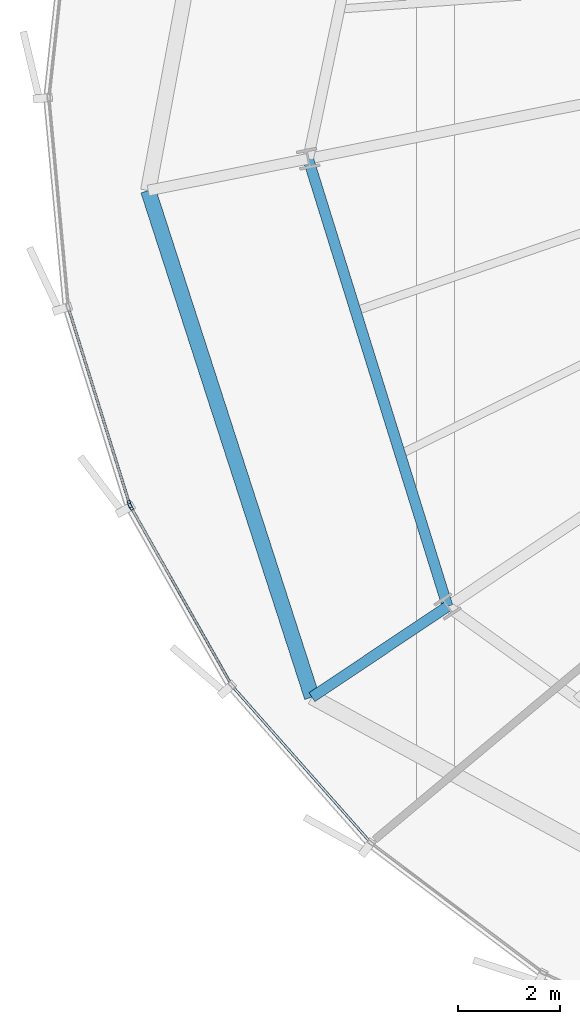
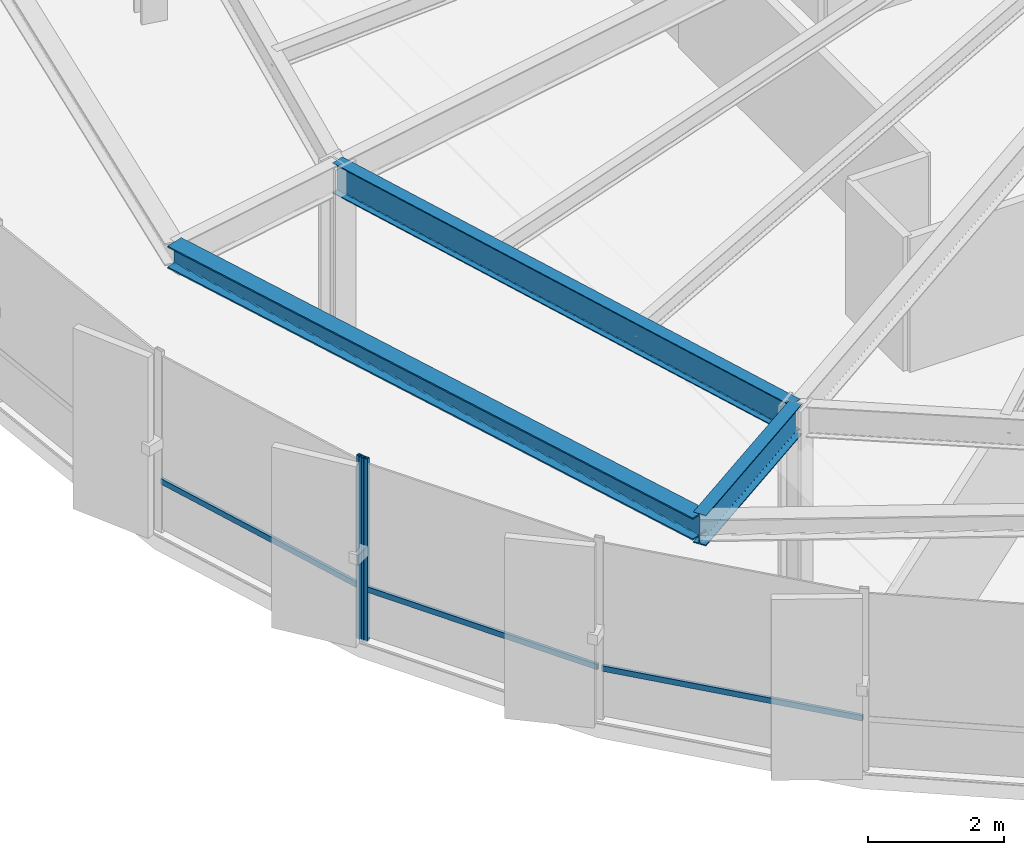
# One storey, part 3 of 34: 5 members, 3 beams, 2 elements without a shape of their own.
"""IFC4 building model written with IfcOpenShell, lengths in metres."""

from ifc_helpers import new_model, si_unit, direction, frame, origin, origin_2d, place, context, subcontext, project, spatial, hollow_rectangle, i_section, extrude, source, transform, mapped, material, layer, layer_set, material_profile, profile_set, type_object, element, aggregate, save


model = new_model("IFC4")

# Units and contexts
model_context = context("Model", 3, precision=1e-05, world=origin(), true_north=direction((0.0, 1.0)))
body_context = subcontext(model_context, "Body", "Model", "MODEL_VIEW")
ifc_project = project(units=[si_unit("LENGTHUNIT", "METRE"), si_unit("AREAUNIT", "SQUARE_METRE"), si_unit("VOLUMEUNIT", "CUBIC_METRE"), si_unit("PLANEANGLEUNIT", "RADIAN"), si_unit("MASSUNIT", "GRAM", prefix="KILO"), si_unit("THERMODYNAMICTEMPERATUREUNIT", "KELVIN")], contexts=[model_context])

# Site, building, storey
site_placement = place(None, origin())
site = spatial("IfcSite", under=ifc_project, at=site_placement, CompositionType="ELEMENT")
building_placement = place(site_placement, origin())
building = spatial("IfcBuilding", under=site, at=building_placement, Name="Kethvar Cultural Tower", CompositionType="ELEMENT")
storey_placement = place(building_placement, frame((0.0, 0.0, 128.800048828125)))
storey = spatial("IfcBuildingStorey", under=building, at=storey_placement, Name="L32", CompositionType="ELEMENT", Elevation=128.800048828125)

# Beams
ifc_material_1 = material(Name="Steel S355J2", Category="steel")
ifc_material_profile_1 = material_profile(ifc_material_1, i_section(OverallWidth=0.2099609375, OverallDepth=0.550048828125, WebThickness=0.010986328125, FlangeThickness=0.01708984375, FilletRadius=0.02392578125, at=origin_2d()), Name="Steel S355J2 — IPE550")
ifc_profile_set_1 = profile_set([ifc_material_profile_1], Name="Steel S355J2 — IPE550")
beam_type_1 = type_object("IfcBeamType", Name="BM-IPE550", PredefinedType="BEAM", material=ifc_profile_set_1)
shared_shape_1 = source(origin(), body_context, "Body", "SweptSolid", [
    extrude(i_section(OverallWidth=0.2099609375, OverallDepth=0.550048828125, WebThickness=0.010986328125, FlangeThickness=0.01708984375, FilletRadius=0.02392578125, at=origin_2d()), origin(), (0.0, 0.0, 1.0), 3.199951171875),
])
beam_1_placement = place(storey_placement, frame((26.920654296875, 14.51708984375, 3.02294921875), z_axis=(-0.831462943996, -0.555580212716, 0.0), x_axis=(0.555580212716, -0.831462943996, 0.0)))
element("IfcBeam", 1, at=beam_1_placement, inside=storey, type_object=beam_type_1, Name="L32 Perimeter Cantilever Beam RC-10", PredefinedType="BEAM", context=body_context, shape_type="MappedRepresentation", body=[
    mapped(shared_shape_1, transform((0.0, 0.0, 0.0), scale=1.0)),
])
shared_shape_2 = source(origin(), body_context, "Body", "SweptSolid", [
    extrude(i_section(OverallWidth=0.2099609375, OverallDepth=0.550048828125, WebThickness=0.010986328125, FlangeThickness=0.01708984375, FilletRadius=0.02392578125, at=origin_2d()), origin(), (0.0, 0.0, 1.0), 9.20068359375),
])
beam_2_placement = place(storey_placement, frame((24.185302734375, 23.3017578125, 3.02294921875), z_axis=(0.297298800285, -0.954784490526, 0.0), x_axis=(0.954784490526, 0.297298800285, 0.0)))
element("IfcBeam", 2, at=beam_2_placement, inside=storey, type_object=beam_type_1, Name="L32 Column Ring Tie Beam CR-09", PredefinedType="BEAM", context=body_context, shape_type="MappedRepresentation", body=[
    mapped(shared_shape_2, transform((0.0, 0.0, 0.0), scale=1.0)),
])
ifc_material_profile_2 = material_profile(ifc_material_1, i_section(OverallWidth=0.300048828125, OverallDepth=0.39990234375, WebThickness=0.013427734375, FlangeThickness=0.02392578125, FilletRadius=0.027099609375, at=origin_2d()), Name="Steel S355J2 — HEB400")
ifc_profile_set_2 = profile_set([ifc_material_profile_2], Name="Steel S355J2 — HEB400")
beam_type_2 = type_object("IfcBeamType", Name="BM-SP400", PredefinedType="SPANDREL", material=ifc_profile_set_2)
shared_shape_3 = source(origin(), body_context, "Body", "SweptSolid", [
    extrude(i_section(OverallWidth=0.300048828125, OverallDepth=0.39990234375, WebThickness=0.013427734375, FlangeThickness=0.02392578125, FilletRadius=0.027099609375, at=origin_2d()), origin(), (0.0, 0.0, 1.0), 10.44482421875),
])
beam_3_placement = place(storey_placement, frame((21.046875, 22.677490234375, 3.097900390625), z_axis=(0.307631709258, -0.951505507845, 0.0), x_axis=(0.951505507845, 0.307631709258, 0.0)))
element("IfcBeam", 3, at=beam_3_placement, inside=storey, type_object=beam_type_2, Name="L32 Perimeter Spandrel Beam SP-09", PredefinedType="SPANDREL", context=body_context, shape_type="MappedRepresentation", body=[
    mapped(shared_shape_3, transform((0.0, 0.0, 0.0), scale=1.0)),
])

# Curtain wall, member
ifc_material_2 = material(Name="Aluminium 6063-T6", Category="aluminium")
ifc_layer = layer(ifc_material_2, 0.179931640625, Name="Aluminium 6063-T6", Category="aluminium")
ifc_layer_set = layer_set([ifc_layer], Name="Aluminium 6063-T6 (180 mm)")
curtain_wall_type = type_object("IfcCurtainWallType", Name="CW-SYS-04-Z34", PredefinedType="NOTDEFINED", material=ifc_layer_set)
curtain_wall_1_placement = place(storey_placement, origin())
curtain_wall_1 = element("IfcCurtainWall", 4, at=curtain_wall_1_placement, inside=storey, type_object=curtain_wall_type, Name="L32 Curtain Wall Run 03", PredefinedType="NOTDEFINED")
ifc_material_profile_3 = material_profile(ifc_material_2, hollow_rectangle(XDim=0.06005859375, YDim=0.139892578125, WallThickness=0.0048828125, at=origin_2d()), Name="Aluminium 6063-T6 — RHS140x60x5")
ifc_profile_set_3 = profile_set([ifc_material_profile_3], Name="Aluminium 6063-T6 — RHS140x60x5")
member_type_1 = type_object("IfcMemberType", Name="CW-SYS-04-Z34-MUL", PredefinedType="MULLION", material=ifc_profile_set_3)
shared_shape_4 = source(origin(), body_context, "Body", "SweptSolid", [
    extrude(hollow_rectangle(XDim=0.06005859375, YDim=0.139892578125, WallThickness=0.0048828125, at=origin_2d()), origin(), (0.0, 0.0, 1.0), 3.300048828125),
])
member_1_placement = place(storey_placement, frame((20.6806640625, 16.526611328125, 0.0), z_axis=(0.0, 0.0, 1.0), x_axis=(0.954719268831, 0.297508180935, 0.0)))
member_1 = element("IfcMember", 5, at=member_1_placement, type_object=member_type_1, Name="CW-L32-R03 Mullion 7", PredefinedType="MULLION", context=body_context, shape_type="MappedRepresentation", body=[
    mapped(shared_shape_4, transform((0.0, 0.0, 0.0), scale=1.0)),
])

# Curtain wall, members
curtain_wall_2_placement = place(storey_placement, origin())
curtain_wall_2 = element("IfcCurtainWall", 6, at=curtain_wall_2_placement, inside=storey, type_object=curtain_wall_type, Name="L32 Curtain Wall Run 04", PredefinedType="NOTDEFINED")
member_2_placement = place(storey_placement, frame((20.7021484375, 16.476806640625, 0.0), z_axis=(0.0, 0.0, 1.0), x_axis=(0.870424442755, 0.492302030723, 0.0)))
member_2 = element("IfcMember", 7, at=member_2_placement, type_object=member_type_1, Name="CW-L32-R04 Mullion 1", PredefinedType="MULLION", context=body_context, shape_type="MappedRepresentation", body=[
    mapped(shared_shape_4, transform((0.0, 0.0, 0.0), scale=1.0)),
])
ifc_material_profile_4 = material_profile(ifc_material_2, hollow_rectangle(XDim=0.050048828125, YDim=0.10009765625, WallThickness=0.00390625, at=origin_2d()), Name="Aluminium 6063-T6 — RHS100x50x4")
ifc_profile_set_4 = profile_set([ifc_material_profile_4], Name="Aluminium 6063-T6 — RHS100x50x4")
member_type_2 = type_object("IfcMemberType", Name="CW-SYS-04-Z34-TRN", PredefinedType="USERDEFINED", material=ifc_profile_set_4)
shared_shape_5 = source(origin(), body_context, "Body", "SweptSolid", [
    extrude(hollow_rectangle(XDim=0.050048828125, YDim=0.10009765625, WallThickness=0.00390625, at=origin_2d()), origin(), (0.0, 0.0, 1.0), 4.06103515625),
])
member_3_placement = place(storey_placement, frame((22.711181640625, 12.93798828125, 0.949951171875), z_axis=(0.662623172731, -0.74895295644, 0.0), x_axis=(0.74895295644, 0.662623172731, 0.0)))
member_3 = element("IfcMember", 8, at=member_3_placement, type_object=member_type_2, Name="CW-L32-R04 Transom 2", ObjectType="TRANSOM", PredefinedType="USERDEFINED", context=body_context, shape_type="MappedRepresentation", body=[
    mapped(shared_shape_5, transform((0.0, 0.0, 0.0), scale=1.0)),
])

# Member
shared_shape_6 = source(origin(), body_context, "Body", "SweptSolid", [
    extrude(hollow_rectangle(XDim=0.050048828125, YDim=0.10009765625, WallThickness=0.00390625, at=origin_2d()), origin(), (0.0, 0.0, 1.0), 4.002685546875),
])
member_4_placement = place(storey_placement, frame((19.488525390625, 20.35205078125, 0.949951171875), z_axis=(0.297538610733, -0.954709785811, 0.0), x_axis=(0.954709785811, 0.297538610733, 0.0)))
member_4 = element("IfcMember", 9, at=member_4_placement, type_object=member_type_2, Name="CW-L32-R03 Transom 6", ObjectType="TRANSOM", PredefinedType="USERDEFINED", context=body_context, shape_type="MappedRepresentation", body=[
    mapped(shared_shape_6, transform((0.0, 0.0, 0.0), scale=1.0)),
])

aggregate(curtain_wall_1, [member_1, member_4])

member_5_placement = place(storey_placement, frame((20.7041015625, 16.473388671875, 0.949951171875), z_axis=(0.492350668265, -0.870396932129, 0.0), x_axis=(0.870396932129, 0.492350668265, 0.0)))
member_5 = element("IfcMember", 10, at=member_5_placement, type_object=member_type_2, Name="CW-L32-R04 Transom 1", ObjectType="TRANSOM", PredefinedType="USERDEFINED", context=body_context, shape_type="MappedRepresentation", body=[
    mapped(shared_shape_6, transform((0.0, 0.0, 0.0), scale=1.0)),
])

aggregate(curtain_wall_2, [member_2, member_5, member_3])

save(model, "model.ifc")
